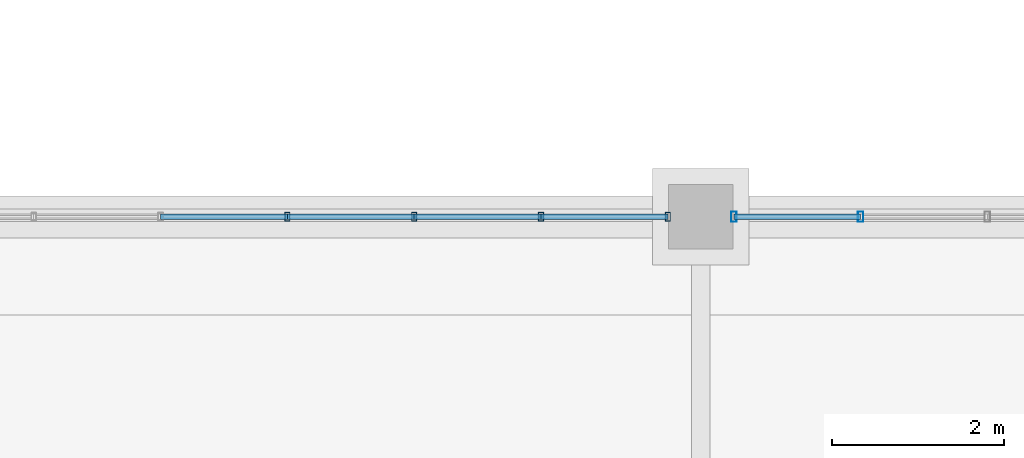
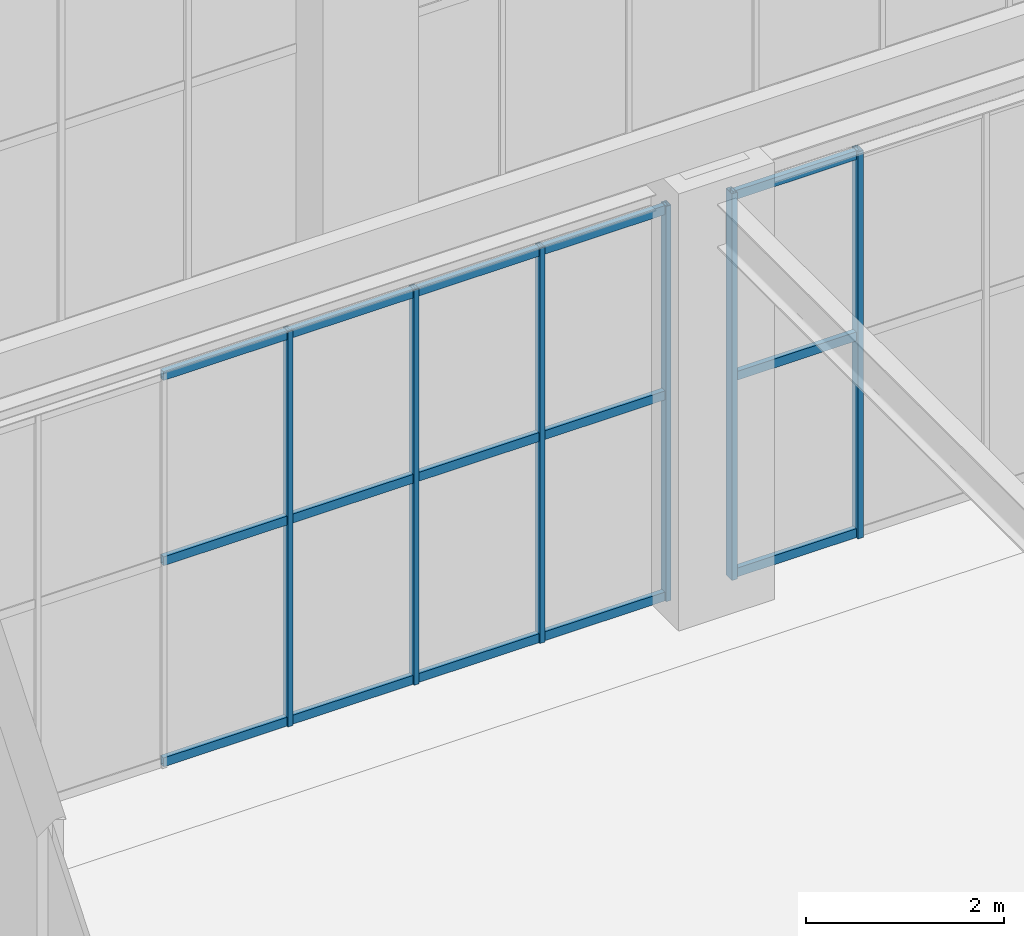
# One storey, part 49 of 164: 21 members, 2 elements without a shape of their own.
"""IFC4 building model written with IfcOpenShell, lengths in metres."""

from ifc_helpers import new_model, si_unit, direction, frame, origin, origin_2d, place, context, subcontext, project, spatial, hollow_rectangle, extrude, material, material_profile, profile_set, type_object, element, aggregate, save


model = new_model("IFC4")

# Units and contexts
model_context = context("Model", 3, precision=1e-05, world=origin(), true_north=direction((0.0, 1.0)))
body_context = subcontext(model_context, "Body", "Model", "MODEL_VIEW")
ifc_project = project(units=[si_unit("LENGTHUNIT", "METRE"), si_unit("AREAUNIT", "SQUARE_METRE"), si_unit("VOLUMEUNIT", "CUBIC_METRE"), si_unit("PLANEANGLEUNIT", "RADIAN"), si_unit("MASSUNIT", "GRAM", prefix="KILO")], contexts=[model_context])

# Site, building, storey
site_placement = place(None, origin())
site = spatial("IfcSite", under=ifc_project, at=site_placement, CompositionType="ELEMENT")
building_placement = place(site_placement, origin())
building = spatial("IfcBuilding", under=site, at=building_placement, Name="Mavantir Sound Aquarium", CompositionType="ELEMENT")
storey_placement = place(building_placement, origin())
storey = spatial("IfcBuildingStorey", under=building, at=storey_placement, Name="L00", CompositionType="ELEMENT", Elevation=0.0)

# Curtain wall, members
ifc_material_1 = material(Name="Anodised Marine Aluminium and Low-E Glass", Category="aluminium")
curtain_wall_type_1 = type_object("IfcCurtainWallType", Name="CW-T05", PredefinedType="USERDEFINED", material=ifc_material_1)
curtain_wall_1_placement = place(storey_placement, origin())
curtain_wall_1 = element("IfcCurtainWall", 1, at=curtain_wall_1_placement, inside=storey, type_object=curtain_wall_type_1, Name="L00 unitised curtain wall CW-05 53", ObjectType="UNITISED GLAZING", PredefinedType="USERDEFINED")
ifc_material_2 = material(Name="Anodised Marine Aluminium 6063-T6", Category="aluminium")
ifc_material_profile_1 = material_profile(ifc_material_2, hollow_rectangle(XDim=0.06005859375, YDim=0.10009765625, WallThickness=0.00390625, at=origin_2d()), Name="ALU-MULLION-100X60")
ifc_profile_set_1 = profile_set([ifc_material_profile_1], Name="Anodised Marine Aluminium 6063-T6")
member_type_1 = type_object("IfcMemberType", Name="CW-MUL-100", PredefinedType="MULLION", material=ifc_profile_set_1)
member_1_placement = place(storey_placement, frame((117.217041015625, 28.800048828125, 0.0), z_axis=(0.0, 0.0, 1.0), x_axis=(1.0, 0.0, 0.0)))
member_1 = element("IfcMember", 2, at=member_1_placement, type_object=member_type_1, Name="CW-L00-053 vertical mullion 1", PredefinedType="MULLION", context=body_context, shape_type="SweptSolid", body=[
    extrude(hollow_rectangle(XDim=0.06005859375, YDim=0.10009765625, WallThickness=0.00390625, at=origin_2d()), origin(), (0.0, 0.0, 1.0), 4.883056640625),
])
member_2_placement = place(storey_placement, frame((115.74462890625, 28.800048828125, 0.0), z_axis=(0.0, 0.0, 1.0), x_axis=(1.0, 0.0, 0.0)))
member_2 = element("IfcMember", 3, at=member_2_placement, type_object=member_type_1, Name="CW-L00-053 vertical mullion 2", PredefinedType="MULLION", context=body_context, shape_type="SweptSolid", body=[
    extrude(hollow_rectangle(XDim=0.06005859375, YDim=0.10009765625, WallThickness=0.00390625, at=origin_2d()), origin(), (0.0, 0.0, 1.0), 4.883056640625),
])
member_3_placement = place(storey_placement, frame((114.272216796875, 28.800048828125, 0.0), z_axis=(0.0, 0.0, 1.0), x_axis=(1.0, 0.0, 0.0)))
member_3 = element("IfcMember", 4, at=member_3_placement, type_object=member_type_1, Name="CW-L00-053 vertical mullion 3", PredefinedType="MULLION", context=body_context, shape_type="SweptSolid", body=[
    extrude(hollow_rectangle(XDim=0.06005859375, YDim=0.10009765625, WallThickness=0.00390625, at=origin_2d()), origin(), (0.0, 0.0, 1.0), 4.883056640625),
])
member_4_placement = place(storey_placement, frame((112.800048828125, 28.800048828125, 0.0), z_axis=(0.0, 0.0, 1.0), x_axis=(1.0, 0.0, 0.0)))
member_4 = element("IfcMember", 5, at=member_4_placement, type_object=member_type_1, Name="CW-L00-053 vertical mullion 4", PredefinedType="MULLION", context=body_context, shape_type="SweptSolid", body=[
    extrude(hollow_rectangle(XDim=0.06005859375, YDim=0.10009765625, WallThickness=0.00390625, at=origin_2d()), origin(), (0.0, 0.0, 1.0), 4.883056640625),
])

curtain_wall_type_2 = type_object("IfcCurtainWallType", Name="CW-T04", PredefinedType="USERDEFINED", material=ifc_material_1)
curtain_wall_2_placement = place(storey_placement, origin())
curtain_wall_2 = element("IfcCurtainWall", 6, at=curtain_wall_2_placement, inside=storey, type_object=curtain_wall_type_2, Name="L00 unitised curtain wall CW-04 52", ObjectType="UNITISED GLAZING", PredefinedType="USERDEFINED")
ifc_material_profile_2 = material_profile(ifc_material_2, hollow_rectangle(XDim=0.06494140625, YDim=0.1201171875, WallThickness=0.00390625, at=origin_2d()), Name="ALU-MULLION-120X65")
ifc_profile_set_2 = profile_set([ifc_material_profile_2], Name="Anodised Marine Aluminium 6063-T6")
member_type_2 = type_object("IfcMemberType", Name="CW-MUL-120", PredefinedType="MULLION", material=ifc_profile_set_2)
member_5_placement = place(storey_placement, frame((119.455322265625, 28.800048828125, 0.0), z_axis=(0.0, 0.0, 1.0), x_axis=(1.0, 0.0, 0.0)))
member_5 = element("IfcMember", 7, at=member_5_placement, type_object=member_type_2, Name="CW-L00-052 vertical mullion 6", PredefinedType="MULLION", context=body_context, shape_type="SweptSolid", body=[
    extrude(hollow_rectangle(XDim=0.06494140625, YDim=0.1201171875, WallThickness=0.00390625, at=origin_2d()), origin(), (0.0, 0.0, 1.0), 4.778076171875),
])
member_6_placement = place(storey_placement, frame((117.98291015625, 28.800048828125, 0.0), z_axis=(0.0, 0.0, 1.0), x_axis=(1.0, 0.0, 0.0)))
member_6 = element("IfcMember", 8, at=member_6_placement, type_object=member_type_2, Name="CW-L00-052 vertical mullion 7", PredefinedType="MULLION", context=body_context, shape_type="SweptSolid", body=[
    extrude(hollow_rectangle(XDim=0.06494140625, YDim=0.1201171875, WallThickness=0.00390625, at=origin_2d()), origin(), (0.0, 0.0, 1.0), 4.778076171875),
])
ifc_material_profile_3 = material_profile(ifc_material_2, hollow_rectangle(XDim=0.06005859375, YDim=0.110107421875, WallThickness=0.00390625, at=origin_2d()), Name="ALU-TRANSOM-110X60")
ifc_profile_set_3 = profile_set([ifc_material_profile_3], Name="Anodised Marine Aluminium 6063-T6")
member_type_3 = type_object("IfcMemberType", Name="CW-TRN-110", PredefinedType="USERDEFINED", material=ifc_profile_set_3)
member_7_placement = place(storey_placement, frame((119.455322265625, 28.800048828125, 0.054931640625), z_axis=(-1.0, 0.0, 0.0), x_axis=(0.0, -1.0, 0.0)))
member_7 = element("IfcMember", 9, at=member_7_placement, type_object=member_type_3, Name="CW-L00-052 transom 6.1", ObjectType="TRANSOM", PredefinedType="USERDEFINED", context=body_context, shape_type="SweptSolid", body=[
    extrude(hollow_rectangle(XDim=0.06005859375, YDim=0.110107421875, WallThickness=0.00390625, at=origin_2d()), origin(), (0.0, 0.0, 1.0), 1.472412109375),
])
member_8_placement = place(storey_placement, frame((119.455322265625, 28.800048828125, 2.484619140625), z_axis=(-1.0, 0.0, 0.0), x_axis=(0.0, -1.0, 0.0)))
member_8 = element("IfcMember", 10, at=member_8_placement, type_object=member_type_3, Name="CW-L00-052 transom 6.2", ObjectType="TRANSOM", PredefinedType="USERDEFINED", context=body_context, shape_type="SweptSolid", body=[
    extrude(hollow_rectangle(XDim=0.06005859375, YDim=0.110107421875, WallThickness=0.00390625, at=origin_2d()), origin(), (0.0, 0.0, 1.0), 1.472412109375),
])
member_9_placement = place(storey_placement, frame((119.455322265625, 28.800048828125, 4.722900390625), z_axis=(-1.0, 0.0, 0.0), x_axis=(0.0, -1.0, 0.0)))
member_9 = element("IfcMember", 11, at=member_9_placement, type_object=member_type_3, Name="CW-L00-052 transom 6.3", ObjectType="TRANSOM", PredefinedType="USERDEFINED", context=body_context, shape_type="SweptSolid", body=[
    extrude(hollow_rectangle(XDim=0.06005859375, YDim=0.110107421875, WallThickness=0.00390625, at=origin_2d()), origin(), (0.0, 0.0, 1.0), 1.472412109375),
])
aggregate(curtain_wall_2, [member_5, member_6, member_7, member_8, member_9])

# Member
member_10_placement = place(storey_placement, frame((117.217041015625, 28.800048828125, 0.054931640625), z_axis=(-1.0, 0.0, 0.0), x_axis=(0.0, -1.0, 0.0)))
member_10 = element("IfcMember", 12, at=member_10_placement, type_object=member_type_3, Name="CW-L00-053 transom 1.1", ObjectType="TRANSOM", PredefinedType="USERDEFINED", context=body_context, shape_type="SweptSolid", body=[
    extrude(hollow_rectangle(XDim=0.06005859375, YDim=0.110107421875, WallThickness=0.00390625, at=origin_2d()), origin(), (0.0, 0.0, 1.0), 1.472412109375),
])

member_11_placement = place(storey_placement, frame((117.217041015625, 28.800048828125, 2.539306640625), z_axis=(-1.0, 0.0, 0.0), x_axis=(0.0, -1.0, 0.0)))
member_11 = element("IfcMember", 13, at=member_11_placement, type_object=member_type_3, Name="CW-L00-053 transom 1.2", ObjectType="TRANSOM", PredefinedType="USERDEFINED", context=body_context, shape_type="SweptSolid", body=[
    extrude(hollow_rectangle(XDim=0.06005859375, YDim=0.110107421875, WallThickness=0.00390625, at=origin_2d()), origin(), (0.0, 0.0, 1.0), 1.472412109375),
])

member_12_placement = place(storey_placement, frame((117.217041015625, 28.800048828125, 4.827880859375), z_axis=(-1.0, 0.0, 0.0), x_axis=(0.0, -1.0, 0.0)))
member_12 = element("IfcMember", 14, at=member_12_placement, type_object=member_type_3, Name="CW-L00-053 transom 1.3", ObjectType="TRANSOM", PredefinedType="USERDEFINED", context=body_context, shape_type="SweptSolid", body=[
    extrude(hollow_rectangle(XDim=0.06005859375, YDim=0.110107421875, WallThickness=0.00390625, at=origin_2d()), origin(), (0.0, 0.0, 1.0), 1.472412109375),
])

member_13_placement = place(storey_placement, frame((115.74462890625, 28.800048828125, 0.054931640625), z_axis=(-1.0, 0.0, 0.0), x_axis=(0.0, -1.0, 0.0)))
member_13 = element("IfcMember", 15, at=member_13_placement, type_object=member_type_3, Name="CW-L00-053 transom 2.1", ObjectType="TRANSOM", PredefinedType="USERDEFINED", context=body_context, shape_type="SweptSolid", body=[
    extrude(hollow_rectangle(XDim=0.06005859375, YDim=0.110107421875, WallThickness=0.00390625, at=origin_2d()), origin(), (0.0, 0.0, 1.0), 1.472412109375),
])

member_14_placement = place(storey_placement, frame((115.74462890625, 28.800048828125, 2.539306640625), z_axis=(-1.0, 0.0, 0.0), x_axis=(0.0, -1.0, 0.0)))
member_14 = element("IfcMember", 16, at=member_14_placement, type_object=member_type_3, Name="CW-L00-053 transom 2.2", ObjectType="TRANSOM", PredefinedType="USERDEFINED", context=body_context, shape_type="SweptSolid", body=[
    extrude(hollow_rectangle(XDim=0.06005859375, YDim=0.110107421875, WallThickness=0.00390625, at=origin_2d()), origin(), (0.0, 0.0, 1.0), 1.472412109375),
])

member_15_placement = place(storey_placement, frame((115.74462890625, 28.800048828125, 4.827880859375), z_axis=(-1.0, 0.0, 0.0), x_axis=(0.0, -1.0, 0.0)))
member_15 = element("IfcMember", 17, at=member_15_placement, type_object=member_type_3, Name="CW-L00-053 transom 2.3", ObjectType="TRANSOM", PredefinedType="USERDEFINED", context=body_context, shape_type="SweptSolid", body=[
    extrude(hollow_rectangle(XDim=0.06005859375, YDim=0.110107421875, WallThickness=0.00390625, at=origin_2d()), origin(), (0.0, 0.0, 1.0), 1.472412109375),
])

member_16_placement = place(storey_placement, frame((114.272216796875, 28.800048828125, 0.054931640625), z_axis=(-1.0, 0.0, 0.0), x_axis=(0.0, -1.0, 0.0)))
member_16 = element("IfcMember", 18, at=member_16_placement, type_object=member_type_3, Name="CW-L00-053 transom 3.1", ObjectType="TRANSOM", PredefinedType="USERDEFINED", context=body_context, shape_type="SweptSolid", body=[
    extrude(hollow_rectangle(XDim=0.06005859375, YDim=0.110107421875, WallThickness=0.00390625, at=origin_2d()), origin(), (0.0, 0.0, 1.0), 1.47216796875),
])

member_17_placement = place(storey_placement, frame((114.272216796875, 28.800048828125, 2.539306640625), z_axis=(-1.0, 0.0, 0.0), x_axis=(0.0, -1.0, 0.0)))
member_17 = element("IfcMember", 19, at=member_17_placement, type_object=member_type_3, Name="CW-L00-053 transom 3.2", ObjectType="TRANSOM", PredefinedType="USERDEFINED", context=body_context, shape_type="SweptSolid", body=[
    extrude(hollow_rectangle(XDim=0.06005859375, YDim=0.110107421875, WallThickness=0.00390625, at=origin_2d()), origin(), (0.0, 0.0, 1.0), 1.47216796875),
])

member_18_placement = place(storey_placement, frame((114.272216796875, 28.800048828125, 4.827880859375), z_axis=(-1.0, 0.0, 0.0), x_axis=(0.0, -1.0, 0.0)))
member_18 = element("IfcMember", 20, at=member_18_placement, type_object=member_type_3, Name="CW-L00-053 transom 3.3", ObjectType="TRANSOM", PredefinedType="USERDEFINED", context=body_context, shape_type="SweptSolid", body=[
    extrude(hollow_rectangle(XDim=0.06005859375, YDim=0.110107421875, WallThickness=0.00390625, at=origin_2d()), origin(), (0.0, 0.0, 1.0), 1.47216796875),
])

member_19_placement = place(storey_placement, frame((112.800048828125, 28.800048828125, 0.054931640625), z_axis=(-1.0, 0.0, 0.0), x_axis=(0.0, -1.0, 0.0)))
member_19 = element("IfcMember", 21, at=member_19_placement, type_object=member_type_3, Name="CW-L00-053 transom 4.1", ObjectType="TRANSOM", PredefinedType="USERDEFINED", context=body_context, shape_type="SweptSolid", body=[
    extrude(hollow_rectangle(XDim=0.06005859375, YDim=0.110107421875, WallThickness=0.00390625, at=origin_2d()), origin(), (0.0, 0.0, 1.0), 1.472412109375),
])

member_20_placement = place(storey_placement, frame((112.800048828125, 28.800048828125, 2.539306640625), z_axis=(-1.0, 0.0, 0.0), x_axis=(0.0, -1.0, 0.0)))
member_20 = element("IfcMember", 22, at=member_20_placement, type_object=member_type_3, Name="CW-L00-053 transom 4.2", ObjectType="TRANSOM", PredefinedType="USERDEFINED", context=body_context, shape_type="SweptSolid", body=[
    extrude(hollow_rectangle(XDim=0.06005859375, YDim=0.110107421875, WallThickness=0.00390625, at=origin_2d()), origin(), (0.0, 0.0, 1.0), 1.472412109375),
])

member_21_placement = place(storey_placement, frame((112.800048828125, 28.800048828125, 4.827880859375), z_axis=(-1.0, 0.0, 0.0), x_axis=(0.0, -1.0, 0.0)))
member_21 = element("IfcMember", 23, at=member_21_placement, type_object=member_type_3, Name="CW-L00-053 transom 4.3", ObjectType="TRANSOM", PredefinedType="USERDEFINED", context=body_context, shape_type="SweptSolid", body=[
    extrude(hollow_rectangle(XDim=0.06005859375, YDim=0.110107421875, WallThickness=0.00390625, at=origin_2d()), origin(), (0.0, 0.0, 1.0), 1.472412109375),
])

aggregate(curtain_wall_1, [member_1, member_2, member_3, member_4, member_10, member_11, member_12, member_13, member_14, member_15, member_16, member_17, member_18, member_19, member_20, member_21])

save(model, "model.ifc")
